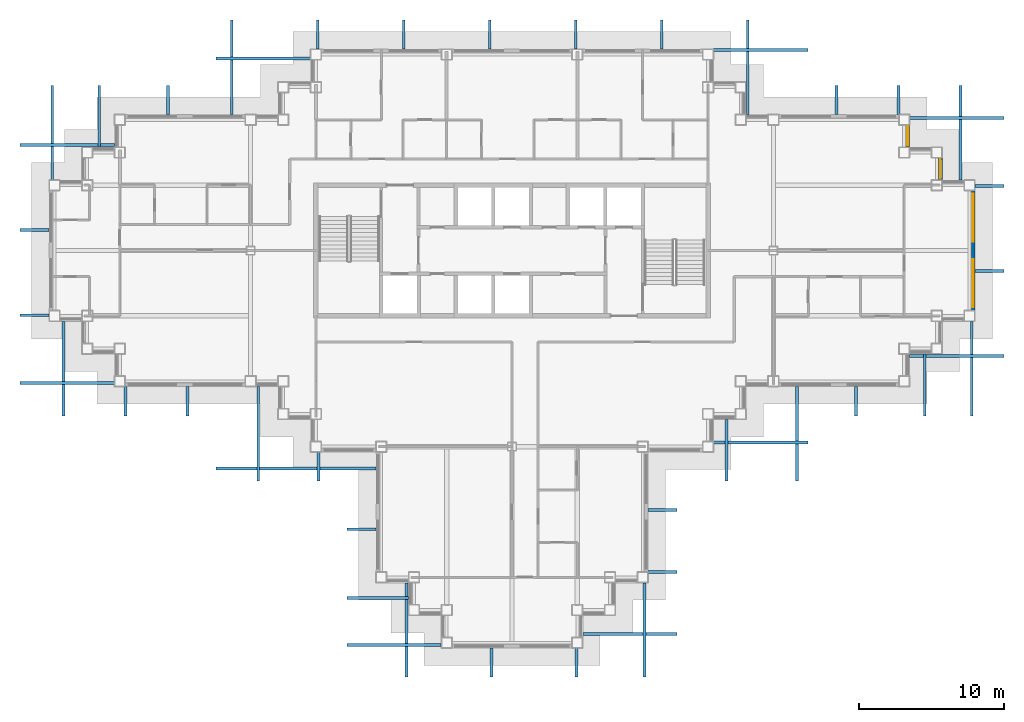
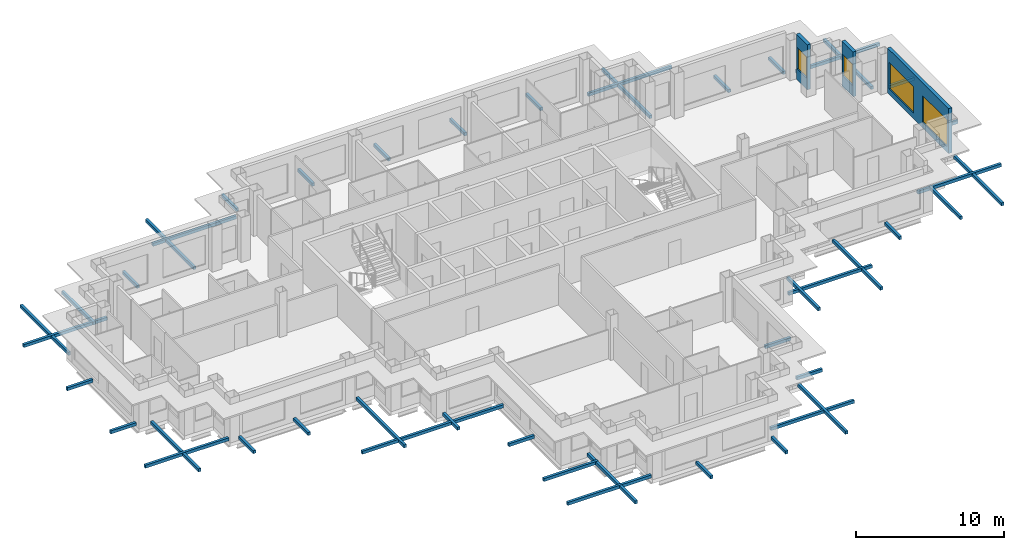
# One storey, part 9 of 14: 45 discrete accessories, 4 windows, 3 walls, 4 openings.
"""IFC4 building model written with IfcOpenShell, lengths in metres."""

from ifc_helpers import new_model, si_unit, direction, frame, frame_2d, origin, origin_2d, place, context, subcontext, project, spatial, rectangle, extrude, material, layer, layer_set, type_object, element, fill, save


model = new_model("IFC4")

# Units and contexts
model_context = context("Model", 3, precision=1e-05, world=origin(), true_north=direction((0.0, 1.0)))
body_context = subcontext(model_context, "Body", "Model", "MODEL_VIEW")
ifc_project = project(units=[si_unit("LENGTHUNIT", "METRE"), si_unit("AREAUNIT", "SQUARE_METRE"), si_unit("VOLUMEUNIT", "CUBIC_METRE"), si_unit("PLANEANGLEUNIT", "RADIAN"), si_unit("MASSUNIT", "GRAM", prefix="KILO")], contexts=[model_context])

# Site, building, storey
site_placement = place(None, origin())
site = spatial("IfcSite", under=ifc_project, at=site_placement, CompositionType="ELEMENT")
building_placement = place(site_placement, origin())
building = spatial("IfcBuilding", under=site, at=building_placement, Name="Caravel Reach Hotel and Residences", CompositionType="ELEMENT")
storey_placement = place(building_placement, frame((0.0, 0.0, 183.89990234375)))
storey = spatial("IfcBuildingStorey", under=building, at=storey_placement, Name="L46", CompositionType="ELEMENT", Elevation=183.89990234375)

# Wall, openings, windows
ifc_material_1 = material(Name="Insulated rainscreen wall, aluminium cladding", Category="aluminium")
ifc_layer = layer(ifc_material_1, 0.25)
ifc_layer_set = layer_set([ifc_layer], Name="EW1 Tower rainscreen wall")
wall_type = type_object("IfcWallType", Name="EW1 Tower rainscreen wall", PredefinedType="SOLIDWALL", material=ifc_layer_set)
wall_1_placement = place(storey_placement, frame((63.25, 22.875, 0.0), z_axis=(0.0, 0.0, 1.0), x_axis=(0.0, 1.0, 0.0)))
wall_1 = element("IfcWall", 1, at=wall_1_placement, inside=storey, type_object=wall_type, Name="External wall L46 E20.1", PredefinedType="SOLIDWALL", context=body_context, shape_type="SweptSolid", body=[
    extrude(rectangle(XDim=8.25, YDim=0.25, at=frame_2d((4.125, 0.0))), origin(), (0.0, 0.0, 1.0), 3.7001953125),
])
opening_1_placement = place(wall_1_placement, frame((0.22509765625, 0.0, 0.449951171875)))
opening_1 = element("IfcOpeningElement", 2, at=opening_1_placement, cuts=wall_1, Name="Opening WN19", PredefinedType="OPENING", context=body_context, shape_type="SweptSolid", body=[
    extrude(rectangle(XDim=3.300048828125, YDim=2.199951171875, at=frame_2d((1.64990234375, 1.10009765625))), frame((0.0, 0.135009765625, 0.0), z_axis=(0.0, -1.0, 0.0), x_axis=(1.0, 0.0, 0.0)), (0.0, 0.0, 1.0), 0.27001953125),
])
opening_2_placement = place(wall_1_placement, frame((4.72509765625, 0.0, 0.449951171875)))
opening_2 = element("IfcOpeningElement", 3, at=opening_2_placement, cuts=wall_1, Name="Opening WN19", PredefinedType="OPENING", context=body_context, shape_type="SweptSolid", body=[
    extrude(rectangle(XDim=3.300048828125, YDim=2.199951171875, at=frame_2d((1.64990234375, 1.10009765625))), frame((0.0, 0.135009765625, 0.0), z_axis=(0.0, -1.0, 0.0), x_axis=(1.0, 0.0, 0.0)), (0.0, 0.0, 1.0), 0.27001953125),
])
ifc_material_2 = material(Name="Dark low-e glazing in black aluminium frame", Category="aluminium")
window_type_1 = type_object("IfcWindowType", Name="Residence living window 3300 x 2200", PartitioningType="SINGLE_PANEL", PredefinedType="WINDOW", material=ifc_material_2)
window_1_placement = place(opening_1_placement, origin())
window_1 = element("IfcWindow", 4, at=window_1_placement, inside=storey, type_object=window_type_1, Name="Window L46 E20.1.1", OverallHeight=2.199951171875, OverallWidth=3.300048828125, PartitioningType="SINGLE_PANEL", PredefinedType="WINDOW", context=body_context, shape_type="SweptSolid", body=[
    extrude(rectangle(XDim=3.300048828125, YDim=2.199951171875, at=frame_2d((1.64990234375, 1.10009765625))), frame((0.0, 0.030029296875, 0.0), z_axis=(0.0, -1.0, 0.0), x_axis=(1.0, 0.0, 0.0)), (0.0, 0.0, 1.0), 0.06005859375),
])
fill(opening_1, window_1)
window_2_placement = place(opening_2_placement, origin())
window_2 = element("IfcWindow", 5, at=window_2_placement, inside=storey, type_object=window_type_1, Name="Window L46 E20.1.2", OverallHeight=2.199951171875, OverallWidth=3.300048828125, PartitioningType="SINGLE_PANEL", PredefinedType="WINDOW", context=body_context, shape_type="SweptSolid", body=[
    extrude(rectangle(XDim=3.300048828125, YDim=2.199951171875, at=frame_2d((1.64990234375, 1.10009765625))), frame((0.0, 0.030029296875, 0.0), z_axis=(0.0, -1.0, 0.0), x_axis=(1.0, 0.0, 0.0)), (0.0, 0.0, 1.0), 0.06005859375),
])
fill(opening_2, window_2)

# Wall, opening, window
wall_2_placement = place(storey_placement, frame((61.0, 31.875, 0.0), z_axis=(0.0, 0.0, 1.0), x_axis=(0.0, 1.0, 0.0)))
wall_2 = element("IfcWall", 6, at=wall_2_placement, inside=storey, type_object=wall_type, Name="External wall L46 E22.1", PredefinedType="SOLIDWALL", context=body_context, shape_type="SweptSolid", body=[
    extrude(rectangle(XDim=1.5, YDim=0.25, at=frame_2d((0.75, 0.0))), origin(), (0.0, 0.0, 1.0), 3.7001953125),
])
opening_3_placement = place(wall_2_placement, frame((0.10009765625, 0.0, 0.89990234375)))
opening_3 = element("IfcOpeningElement", 7, at=opening_3_placement, cuts=wall_2, Name="Opening WN20", PredefinedType="OPENING", context=body_context, shape_type="SweptSolid", body=[
    extrude(rectangle(XDim=1.300048828125, YDim=1.75, at=frame_2d((0.64990234375, 0.875))), frame((0.0, 0.135009765625, 0.0), z_axis=(0.0, -1.0, 0.0), x_axis=(1.0, 0.0, 0.0)), (0.0, 0.0, 1.0), 0.27001953125),
])
ifc_material_3 = material(Name="Dark low-e glazing in black aluminium frame", Category="aluminium")
window_type_2 = type_object("IfcWindowType", Name="Residence bedroom window 1300 x 1750", PartitioningType="SINGLE_PANEL", PredefinedType="WINDOW", material=ifc_material_3)
window_3_placement = place(opening_3_placement, origin())
window_3 = element("IfcWindow", 8, at=window_3_placement, inside=storey, type_object=window_type_2, Name="Window L46 E22.1.1", OverallHeight=1.75, OverallWidth=1.300048828125, PartitioningType="SINGLE_PANEL", PredefinedType="WINDOW", context=body_context, shape_type="SweptSolid", body=[
    extrude(rectangle(XDim=1.300048828125, YDim=1.75, at=frame_2d((0.64990234375, 0.875))), frame((0.0, 0.030029296875, 0.0), z_axis=(0.0, -1.0, 0.0), x_axis=(1.0, 0.0, 0.0)), (0.0, 0.0, 1.0), 0.06005859375),
])
fill(opening_3, window_3)

wall_3_placement = place(storey_placement, frame((58.75, 34.125, 0.0), z_axis=(0.0, 0.0, 1.0), x_axis=(0.0, 1.0, 0.0)))
wall_3 = element("IfcWall", 9, at=wall_3_placement, inside=storey, type_object=wall_type, Name="External wall L46 E24.1", PredefinedType="SOLIDWALL", context=body_context, shape_type="SweptSolid", body=[
    extrude(rectangle(XDim=1.5, YDim=0.25, at=frame_2d((0.75, 0.0))), origin(), (0.0, 0.0, 1.0), 3.7001953125),
])
opening_4_placement = place(wall_3_placement, frame((0.10009765625, 0.0, 0.89990234375)))
opening_4 = element("IfcOpeningElement", 10, at=opening_4_placement, cuts=wall_3, Name="Opening WN20", PredefinedType="OPENING", context=body_context, shape_type="SweptSolid", body=[
    extrude(rectangle(XDim=1.300048828125, YDim=1.75, at=frame_2d((0.64990234375, 0.875))), frame((0.0, 0.135009765625, 0.0), z_axis=(0.0, -1.0, 0.0), x_axis=(1.0, 0.0, 0.0)), (0.0, 0.0, 1.0), 0.27001953125),
])
window_4_placement = place(opening_4_placement, origin())
window_4 = element("IfcWindow", 11, at=window_4_placement, inside=storey, type_object=window_type_2, Name="Window L46 E24.1.1", OverallHeight=1.75, OverallWidth=1.300048828125, PartitioningType="SINGLE_PANEL", PredefinedType="WINDOW", context=body_context, shape_type="SweptSolid", body=[
    extrude(rectangle(XDim=1.300048828125, YDim=1.75, at=frame_2d((0.64990234375, 0.875))), frame((0.0, 0.030029296875, 0.0), z_axis=(0.0, -1.0, 0.0), x_axis=(1.0, 0.0, 0.0)), (0.0, 0.0, 1.0), 0.06005859375),
])
fill(opening_4, window_4)

# Discrete accessories
ifc_material_4 = material(Name="Black powder-coated aluminium", Category="aluminium")
discrete_accessory_type = type_object("IfcDiscreteAccessoryType", Name="BR1 Screen bracket", PredefinedType="BRACKET", material=ifc_material_4)
discrete_accessory_1_placement = place(storey_placement, frame((21.125, 7.811767578125, 0.10009765625), z_axis=(0.0, 0.0, 1.0), x_axis=(-1.0, 0.0, 0.0)))
element("IfcDiscreteAccessory", 12, at=discrete_accessory_1_placement, inside=storey, type_object=discrete_accessory_type, Name="Screen bracket L46 1.1.2", PredefinedType="BRACKET", context=body_context, shape_type="SweptSolid", body=[
    extrude(rectangle(XDim=2.0, YDim=0.199951171875, at=origin_2d()), origin(), (0.0, 0.0, 1.0), 0.25),
])
discrete_accessory_2_placement = place(storey_placement, frame((22.25, 3.078369140625, 0.10009765625), z_axis=(0.0, 0.0, 1.0), x_axis=(-1.0, 0.0, 0.0)))
element("IfcDiscreteAccessory", 13, at=discrete_accessory_2_placement, inside=storey, type_object=discrete_accessory_type, Name="Screen bracket L46 1.2.2", PredefinedType="BRACKET", context=body_context, shape_type="SweptSolid", body=[
    extrude(rectangle(XDim=4.25, YDim=0.199951171875, at=origin_2d()), origin(), (0.0, 0.0, 1.0), 0.25),
])
for number, where, z_axis, x_axis, name in (
    (14, (23.375, -0.155029296875, 0.10009765625), (0.0, 0.0, 1.0), (-1.0, 0.0, 0.0), "Screen bracket L46 1.3.2"),
    (15, (24.228759765625, 0.875, 0.10009765625), (0.0, 0.0, 1.0), (0.0, -1.0, 0.0), "Screen bracket L46 2.1.2"),
):
    element("IfcDiscreteAccessory", number, at=place(storey_placement, frame(where, z_axis=z_axis, x_axis=x_axis)), inside=storey, type_object=discrete_accessory_type, Name=name, PredefinedType="BRACKET", context=body_context, shape_type="SweptSolid", body=[
        extrude(rectangle(XDim=6.5, YDim=0.199951171875, at=origin_2d()), origin(), (0.0, 0.0, 1.0), 0.25),
    ])
for number, where, z_axis, x_axis, name in (
    (16, (30.09130859375, -1.375, 0.10009765625), (0.0, 0.0, 1.0), (0.0, -1.0, 0.0), "Screen bracket L46 2.2.2"),
    (17, (35.953857421875, -1.375, 0.10009765625), (0.0, 0.0, 1.0), (0.0, -1.0, 0.0), "Screen bracket L46 2.3.2"),
):
    element("IfcDiscreteAccessory", number, at=place(storey_placement, frame(where, z_axis=z_axis, x_axis=x_axis)), inside=storey, type_object=discrete_accessory_type, Name=name, PredefinedType="BRACKET", context=body_context, shape_type="SweptSolid", body=[
        extrude(rectangle(XDim=2.0, YDim=0.199951171875, at=origin_2d()), origin(), (0.0, 0.0, 1.0), 0.25),
    ])
for number, where, z_axis, x_axis, name in (
    (18, (40.6162109375, 0.875, 0.10009765625), (0.0, 0.0, 1.0), (0.0, -1.0, 0.0), "Screen bracket L46 2.4.2"),
    (19, (39.625, 0.611572265625, 0.10009765625), (0.0, 0.0, 1.0), (1.0, 0.0, 0.0), "Screen bracket L46 3.1.2"),
):
    element("IfcDiscreteAccessory", number, at=place(storey_placement, frame(where, z_axis=z_axis, x_axis=x_axis)), inside=storey, type_object=discrete_accessory_type, Name=name, PredefinedType="BRACKET", context=body_context, shape_type="SweptSolid", body=[
        extrude(rectangle(XDim=6.5, YDim=0.199951171875, at=origin_2d()), origin(), (0.0, 0.0, 1.0), 0.25),
    ])
for number, where, z_axis, x_axis, name in (
    (20, (41.875, 4.87841796875, 0.10009765625), (0.0, 0.0, 1.0), (1.0, 0.0, 0.0), "Screen bracket L46 3.2.2"),
    (21, (41.875, 9.14501953125, 0.10009765625), (0.0, 0.0, 1.0), (1.0, 0.0, 0.0), "Screen bracket L46 3.3.2"),
):
    element("IfcDiscreteAccessory", number, at=place(storey_placement, frame(where, z_axis=z_axis, x_axis=x_axis)), inside=storey, type_object=discrete_accessory_type, Name=name, PredefinedType="BRACKET", context=body_context, shape_type="SweptSolid", body=[
        extrude(rectangle(XDim=2.0, YDim=0.199951171875, at=origin_2d()), origin(), (0.0, 0.0, 1.0), 0.25),
    ])
discrete_accessory_3_placement = place(storey_placement, frame((46.27001953125, 13.25, 0.10009765625), z_axis=(0.0, 0.0, 1.0), x_axis=(0.0, -1.0, 0.0)))
element("IfcDiscreteAccessory", 22, at=discrete_accessory_3_placement, inside=storey, type_object=discrete_accessory_type, Name="Screen bracket L46 4.1.2", PredefinedType="BRACKET", context=body_context, shape_type="SweptSolid", body=[
    extrude(rectangle(XDim=4.25, YDim=0.199951171875, at=origin_2d()), origin(), (0.0, 0.0, 1.0), 0.25),
])
for number, where, z_axis, x_axis, name in (
    (23, (51.1201171875, 14.375, 0.10009765625), (0.0, 0.0, 1.0), (0.0, -1.0, 0.0), "Screen bracket L46 4.2.2"),
    (24, (48.625, 13.784912109375, 0.10009765625), (0.0, 0.0, 1.0), (1.0, 0.0, 0.0), "Screen bracket L46 5.1.2"),
):
    element("IfcDiscreteAccessory", number, at=place(storey_placement, frame(where, z_axis=z_axis, x_axis=x_axis)), inside=storey, type_object=discrete_accessory_type, Name=name, PredefinedType="BRACKET", context=body_context, shape_type="SweptSolid", body=[
        extrude(rectangle(XDim=6.5, YDim=0.199951171875, at=origin_2d()), origin(), (0.0, 0.0, 1.0), 0.25),
    ])
discrete_accessory_4_placement = place(storey_placement, frame((55.188232421875, 16.625, 0.10009765625), z_axis=(0.0, 0.0, 1.0), x_axis=(0.0, -1.0, 0.0)))
element("IfcDiscreteAccessory", 25, at=discrete_accessory_4_placement, inside=storey, type_object=discrete_accessory_type, Name="Screen bracket L46 6.1.2", PredefinedType="BRACKET", context=body_context, shape_type="SweptSolid", body=[
    extrude(rectangle(XDim=2.0, YDim=0.199951171875, at=origin_2d()), origin(), (0.0, 0.0, 1.0), 0.25),
])
discrete_accessory_5_placement = place(storey_placement, frame((59.921630859375, 17.75, 0.10009765625), z_axis=(0.0, 0.0, 1.0), x_axis=(0.0, -1.0, 0.0)))
element("IfcDiscreteAccessory", 26, at=discrete_accessory_5_placement, inside=storey, type_object=discrete_accessory_type, Name="Screen bracket L46 6.2.2", PredefinedType="BRACKET", context=body_context, shape_type="SweptSolid", body=[
    extrude(rectangle(XDim=4.25, YDim=0.199951171875, at=origin_2d()), origin(), (0.0, 0.0, 1.0), 0.25),
])
for number, where, z_axis, x_axis, name in (
    (27, (63.155029296875, 18.875, 0.10009765625), (0.0, 0.0, 1.0), (0.0, -1.0, 0.0), "Screen bracket L46 6.3.2"),
    (28, (62.125, 19.728759765625, 0.10009765625), (0.0, 0.0, 1.0), (1.0, 0.0, 0.0), "Screen bracket L46 7.1.2"),
):
    element("IfcDiscreteAccessory", number, at=place(storey_placement, frame(where, z_axis=z_axis, x_axis=x_axis)), inside=storey, type_object=discrete_accessory_type, Name=name, PredefinedType="BRACKET", context=body_context, shape_type="SweptSolid", body=[
        extrude(rectangle(XDim=6.5, YDim=0.199951171875, at=origin_2d()), origin(), (0.0, 0.0, 1.0), 0.25),
    ])
for number, where, z_axis, x_axis, name in (
    (29, (64.375, 25.59130859375, 0.10009765625), (0.0, 0.0, 1.0), (1.0, 0.0, 0.0), "Screen bracket L46 7.2.2"),
    (30, (64.375, 31.453857421875, 0.10009765625), (0.0, 0.0, 1.0), (1.0, 0.0, 0.0), "Screen bracket L46 7.3.2"),
):
    element("IfcDiscreteAccessory", number, at=place(storey_placement, frame(where, z_axis=z_axis, x_axis=x_axis)), inside=storey, type_object=discrete_accessory_type, Name=name, PredefinedType="BRACKET", context=body_context, shape_type="SweptSolid", body=[
        extrude(rectangle(XDim=2.0, YDim=0.199951171875, at=origin_2d()), origin(), (0.0, 0.0, 1.0), 0.25),
    ])
for number, where, z_axis, x_axis, name in (
    (31, (62.125, 36.1162109375, 0.10009765625), (0.0, 0.0, 1.0), (1.0, 0.0, 0.0), "Screen bracket L46 7.4.2"),
    (32, (62.388427734375, 35.125, 0.10009765625), (0.0, 0.0, 1.0), (0.0, 1.0, 0.0), "Screen bracket L46 8.1.2"),
):
    element("IfcDiscreteAccessory", number, at=place(storey_placement, frame(where, z_axis=z_axis, x_axis=x_axis)), inside=storey, type_object=discrete_accessory_type, Name=name, PredefinedType="BRACKET", context=body_context, shape_type="SweptSolid", body=[
        extrude(rectangle(XDim=6.5, YDim=0.199951171875, at=origin_2d()), origin(), (0.0, 0.0, 1.0), 0.25),
    ])
for number, where, z_axis, x_axis, name in (
    (33, (58.12158203125, 37.375, 0.10009765625), (0.0, 0.0, 1.0), (0.0, 1.0, 0.0), "Screen bracket L46 8.2.2"),
    (34, (53.85498046875, 37.375, 0.10009765625), (0.0, 0.0, 1.0), (0.0, 1.0, 0.0), "Screen bracket L46 8.3.2"),
):
    element("IfcDiscreteAccessory", number, at=place(storey_placement, frame(where, z_axis=z_axis, x_axis=x_axis)), inside=storey, type_object=discrete_accessory_type, Name=name, PredefinedType="BRACKET", context=body_context, shape_type="SweptSolid", body=[
        extrude(rectangle(XDim=2.0, YDim=0.199951171875, at=origin_2d()), origin(), (0.0, 0.0, 1.0), 0.25),
    ])
for number, where, z_axis, x_axis, name in (
    (35, (48.625, 40.81494140625, 0.10009765625), (0.0, 0.0, 1.0), (1.0, 0.0, 0.0), "Screen bracket L46 9.1.2"),
    (36, (47.72998046875, 39.625, 0.10009765625), (0.0, 0.0, 1.0), (0.0, 1.0, 0.0), "Screen bracket L46 10.1.2"),
):
    element("IfcDiscreteAccessory", number, at=place(storey_placement, frame(where, z_axis=z_axis, x_axis=x_axis)), inside=storey, type_object=discrete_accessory_type, Name=name, PredefinedType="BRACKET", context=body_context, shape_type="SweptSolid", body=[
        extrude(rectangle(XDim=6.5, YDim=0.199951171875, at=origin_2d()), origin(), (0.0, 0.0, 1.0), 0.25),
    ])
for number, where, z_axis, x_axis, name in (
    (37, (41.80859375, 41.875, 0.10009765625), (0.0, 0.0, 1.0), (0.0, 1.0, 0.0), "Screen bracket L46 10.2.2"),
    (38, (35.88720703125, 41.875, 0.10009765625), (0.0, 0.0, 1.0), (0.0, 1.0, 0.0), "Screen bracket L46 10.3.2"),
    (39, (29.9658203125, 41.875, 0.10009765625), (0.0, 0.0, 1.0), (0.0, 1.0, 0.0), "Screen bracket L46 10.4.2"),
    (40, (24.044189453125, 41.875, 0.10009765625), (0.0, 0.0, 1.0), (0.0, 1.0, 0.0), "Screen bracket L46 10.5.2"),
    (41, (18.122802734375, 41.875, 0.10009765625), (0.0, 0.0, 1.0), (0.0, 1.0, 0.0), "Screen bracket L46 10.6.2"),
):
    element("IfcDiscreteAccessory", number, at=place(storey_placement, frame(where, z_axis=z_axis, x_axis=x_axis)), inside=storey, type_object=discrete_accessory_type, Name=name, PredefinedType="BRACKET", context=body_context, shape_type="SweptSolid", body=[
        extrude(rectangle(XDim=2.0, YDim=0.199951171875, at=origin_2d()), origin(), (0.0, 0.0, 1.0), 0.25),
    ])
for number, where, z_axis, x_axis, name in (
    (42, (12.201416015625, 39.625, 0.10009765625), (0.0, 0.0, 1.0), (0.0, 1.0, 0.0), "Screen bracket L46 10.7.2"),
    (43, (14.375, 40.215087890625, 0.10009765625), (0.0, 0.0, 1.0), (-1.0, 0.0, 0.0), "Screen bracket L46 11.1.2"),
):
    element("IfcDiscreteAccessory", number, at=place(storey_placement, frame(where, z_axis=z_axis, x_axis=x_axis)), inside=storey, type_object=discrete_accessory_type, Name=name, PredefinedType="BRACKET", context=body_context, shape_type="SweptSolid", body=[
        extrude(rectangle(XDim=6.5, YDim=0.199951171875, at=origin_2d()), origin(), (0.0, 0.0, 1.0), 0.25),
    ])
discrete_accessory_6_placement = place(storey_placement, frame((7.811767578125, 37.375, 0.10009765625), z_axis=(0.0, 0.0, 1.0), x_axis=(0.0, 1.0, 0.0)))
element("IfcDiscreteAccessory", 44, at=discrete_accessory_6_placement, inside=storey, type_object=discrete_accessory_type, Name="Screen bracket L46 12.1.2", PredefinedType="BRACKET", context=body_context, shape_type="SweptSolid", body=[
    extrude(rectangle(XDim=2.0, YDim=0.199951171875, at=origin_2d()), origin(), (0.0, 0.0, 1.0), 0.25),
])
discrete_accessory_7_placement = place(storey_placement, frame((3.078369140625, 36.25, 0.10009765625), z_axis=(0.0, 0.0, 1.0), x_axis=(0.0, 1.0, 0.0)))
element("IfcDiscreteAccessory", 45, at=discrete_accessory_7_placement, inside=storey, type_object=discrete_accessory_type, Name="Screen bracket L46 12.2.2", PredefinedType="BRACKET", context=body_context, shape_type="SweptSolid", body=[
    extrude(rectangle(XDim=4.25, YDim=0.199951171875, at=origin_2d()), origin(), (0.0, 0.0, 1.0), 0.25),
])
for number, where, z_axis, x_axis, name in (
    (46, (-0.155029296875, 35.125, 0.10009765625), (0.0, 0.0, 1.0), (0.0, 1.0, 0.0), "Screen bracket L46 12.3.2"),
    (47, (0.875, 34.271240234375, 0.10009765625), (0.0, 0.0, 1.0), (-1.0, 0.0, 0.0), "Screen bracket L46 13.1.2"),
):
    element("IfcDiscreteAccessory", number, at=place(storey_placement, frame(where, z_axis=z_axis, x_axis=x_axis)), inside=storey, type_object=discrete_accessory_type, Name=name, PredefinedType="BRACKET", context=body_context, shape_type="SweptSolid", body=[
        extrude(rectangle(XDim=6.5, YDim=0.199951171875, at=origin_2d()), origin(), (0.0, 0.0, 1.0), 0.25),
    ])
for number, where, z_axis, x_axis, name in (
    (48, (-1.375, 28.40869140625, 0.10009765625), (0.0, 0.0, 1.0), (-1.0, 0.0, 0.0), "Screen bracket L46 13.2.2"),
    (49, (-1.375, 22.546142578125, 0.10009765625), (0.0, 0.0, 1.0), (-1.0, 0.0, 0.0), "Screen bracket L46 13.3.2"),
):
    element("IfcDiscreteAccessory", number, at=place(storey_placement, frame(where, z_axis=z_axis, x_axis=x_axis)), inside=storey, type_object=discrete_accessory_type, Name=name, PredefinedType="BRACKET", context=body_context, shape_type="SweptSolid", body=[
        extrude(rectangle(XDim=2.0, YDim=0.199951171875, at=origin_2d()), origin(), (0.0, 0.0, 1.0), 0.25),
    ])
for number, where, z_axis, x_axis, name in (
    (50, (0.875, 17.8837890625, 0.10009765625), (0.0, 0.0, 1.0), (-1.0, 0.0, 0.0), "Screen bracket L46 13.4.2"),
    (51, (0.611572265625, 18.875, 0.10009765625), (0.0, 0.0, 1.0), (0.0, -1.0, 0.0), "Screen bracket L46 14.1.2"),
):
    element("IfcDiscreteAccessory", number, at=place(storey_placement, frame(where, z_axis=z_axis, x_axis=x_axis)), inside=storey, type_object=discrete_accessory_type, Name=name, PredefinedType="BRACKET", context=body_context, shape_type="SweptSolid", body=[
        extrude(rectangle(XDim=6.5, YDim=0.199951171875, at=origin_2d()), origin(), (0.0, 0.0, 1.0), 0.25),
    ])
for number, where, z_axis, x_axis, name in (
    (52, (4.87841796875, 16.625, 0.10009765625), (0.0, 0.0, 1.0), (0.0, -1.0, 0.0), "Screen bracket L46 14.2.2"),
    (53, (9.14501953125, 16.625, 0.10009765625), (0.0, 0.0, 1.0), (0.0, -1.0, 0.0), "Screen bracket L46 14.3.2"),
):
    element("IfcDiscreteAccessory", number, at=place(storey_placement, frame(where, z_axis=z_axis, x_axis=x_axis)), inside=storey, type_object=discrete_accessory_type, Name=name, PredefinedType="BRACKET", context=body_context, shape_type="SweptSolid", body=[
        extrude(rectangle(XDim=2.0, YDim=0.199951171875, at=origin_2d()), origin(), (0.0, 0.0, 1.0), 0.25),
    ])
discrete_accessory_8_placement = place(storey_placement, frame((16.625, 11.985107421875, 0.10009765625), z_axis=(0.0, 0.0, 1.0), x_axis=(-1.0, 0.0, 0.0)))
element("IfcDiscreteAccessory", 54, at=discrete_accessory_8_placement, inside=storey, type_object=discrete_accessory_type, Name="Screen bracket L46 15.1.2", PredefinedType="BRACKET", context=body_context, shape_type="SweptSolid", body=[
    extrude(rectangle(XDim=11.0, YDim=0.199951171875, at=origin_2d()), origin(), (0.0, 0.0, 1.0), 0.25),
])
discrete_accessory_9_placement = place(storey_placement, frame((14.030029296875, 14.375, 0.10009765625), z_axis=(0.0, 0.0, 1.0), x_axis=(0.0, -1.0, 0.0)))
element("IfcDiscreteAccessory", 55, at=discrete_accessory_9_placement, inside=storey, type_object=discrete_accessory_type, Name="Screen bracket L46 16.1.2", PredefinedType="BRACKET", context=body_context, shape_type="SweptSolid", body=[
    extrude(rectangle(XDim=6.5, YDim=0.199951171875, at=origin_2d()), origin(), (0.0, 0.0, 1.0), 0.25),
])
discrete_accessory_10_placement = place(storey_placement, frame((18.179931640625, 12.125, 0.10009765625), z_axis=(0.0, 0.0, 1.0), x_axis=(0.0, -1.0, 0.0)))
element("IfcDiscreteAccessory", 56, at=discrete_accessory_10_placement, inside=storey, type_object=discrete_accessory_type, Name="Screen bracket L46 16.2.2", PredefinedType="BRACKET", context=body_context, shape_type="SweptSolid", body=[
    extrude(rectangle(XDim=2.0, YDim=0.199951171875, at=origin_2d()), origin(), (0.0, 0.0, 1.0), 0.25),
])

save(model, "model.ifc")
